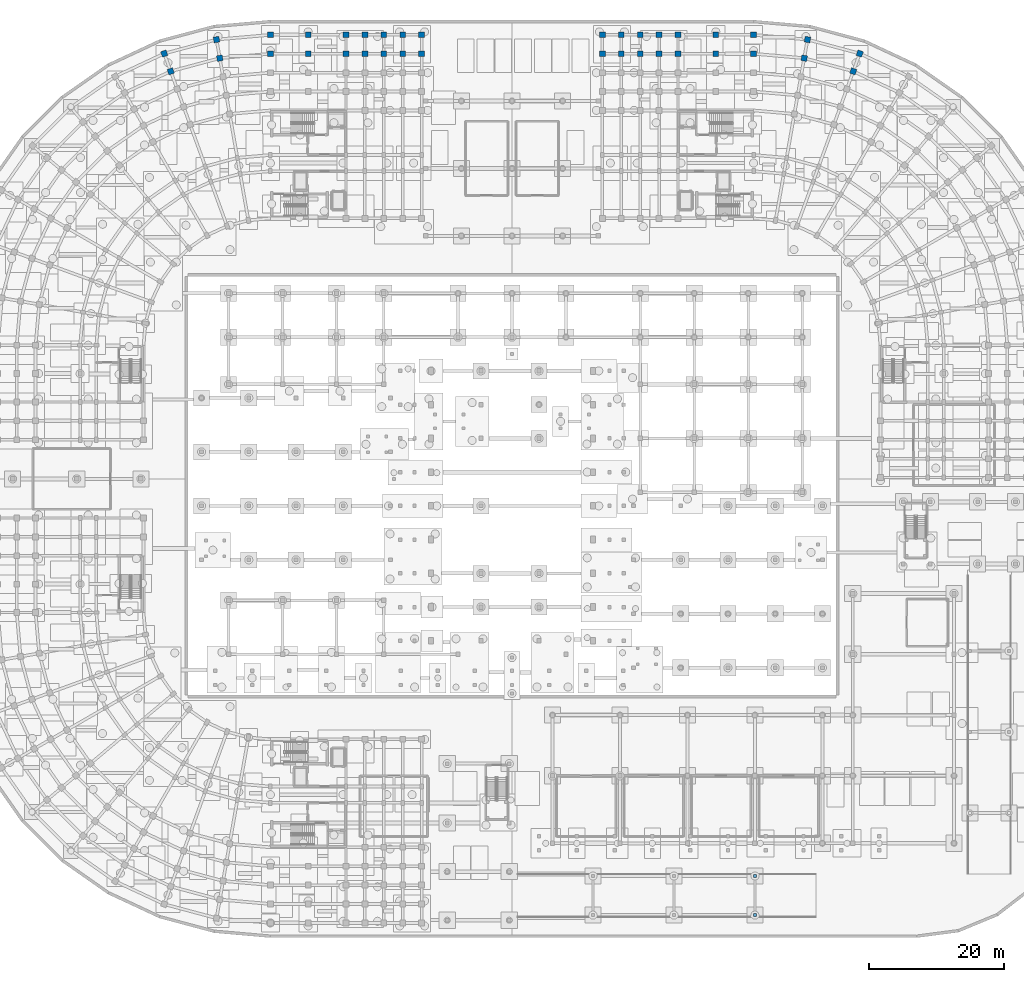
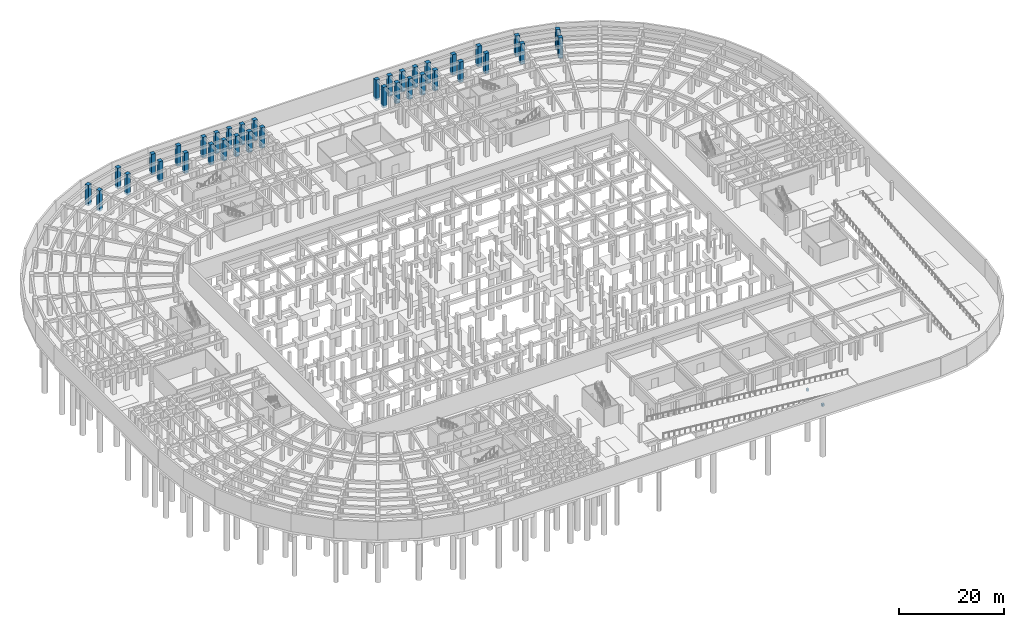
# One storey, part 17 of 53: 38 columns.
"""IFC4 building model written with IfcOpenShell, lengths in metres."""

import ifcopenshell
import ifcopenshell.guid

model = None  # the IFC model being written
_history = None  # IfcOwnerHistory: only IFC2X3 demands one
_inside = {}  # id of a spatial element -> (the spatial element, [elements in it])
_under = {}  # id of a project, library or spatial element -> (it, [spatial elements below it])
_declared = {}  # id of a project -> (the project, [libraries it declares])
_typed = {}  # id of a type object -> (the type object, [elements of that type])
_made_of = {}  # id of a material, layer set ... -> (it, [elements and type objects made of it])


def new_model(schema):
    """Start an empty IFC model of exactly this schema.

    Asked for "IFC4X3", IfcOpenShell would pick the latest addendum, in which some entities
    have other attributes; the version numbers below select the first issue.
    IFC2X3 requires an IfcOwnerHistory on every rooted entity: one is made here for all.
    """
    global model, _history
    if schema == "IFC4X3":
        model = ifcopenshell.file(schema_version=(4, 3, 0, 0))
    else:
        model = ifcopenshell.file(schema=schema)
    _inside.clear()
    _under.clear()
    _declared.clear()
    _typed.clear()
    _made_of.clear()
    _history = None
    if model.schema == "IFC2X3":
        org = make("IfcOrganization", Name="unknown")
        user = make(
            "IfcPersonAndOrganization",
            ThePerson=make("IfcPerson", FamilyName="unknown"),
            TheOrganization=org,
        )
        app = make(
            "IfcApplication",
            ApplicationDeveloper=org,
            Version="unknown",
            ApplicationFullName="unknown",
            ApplicationIdentifier="unknown",
        )
        _history = make(
            "IfcOwnerHistory",
            OwningUser=user,
            OwningApplication=app,
            ChangeAction="ADDED",
            CreationDate=0,
        )
    return model


def make(cls, **values):
    """One entity of the class cls with the attributes given. An attribute that is None is left unset."""
    return model.create_entity(
        cls, **{name: value for name, value in values.items() if value is not None}
    )


def rooted(cls, **values):
    """An entity with a GlobalId (a new one), such as an element, a storey or a relation."""
    return make(cls, GlobalId=ifcopenshell.guid.new(), OwnerHistory=_history, **values)


def si_unit(unit_type, name, prefix=None):
    """IfcSIUnit, for example si_unit("LENGTHUNIT", "METRE", prefix="MILLI")."""
    return make("IfcSIUnit", UnitType=unit_type, Prefix=prefix, Name=name)


def assignment(units):
    """IfcUnitAssignment: the units of a project."""
    return None if units is None else make("IfcUnitAssignment", Units=units)


def point(xyz):
    """IfcCartesianPoint."""
    return None if xyz is None else make("IfcCartesianPoint", Coordinates=xyz)


def direction(xyz):
    """IfcDirection."""
    return None if xyz is None else make("IfcDirection", DirectionRatios=xyz)


def frame(location, z_axis=None, x_axis=None):
    """IfcAxis2Placement3D, a coordinate frame: its origin and axes. An axis left out is left unset."""
    return make(
        "IfcAxis2Placement3D",
        Location=point(location),
        Axis=direction(z_axis),
        RefDirection=direction(x_axis),
    )


def frame_2d(location, x_axis=None):
    """IfcAxis2Placement2D, a coordinate frame in the plane: its origin and x axis."""
    return make(
        "IfcAxis2Placement2D", Location=point(location), RefDirection=direction(x_axis)
    )


def origin():
    """The frame at (0, 0, 0) with its axes left unset."""
    return frame((0.0, 0.0, 0.0))


def origin_2d():
    """The frame at (0, 0) in the plane with its x axis left unset."""
    return frame_2d((0.0, 0.0))


def place(relative_to, where):
    """IfcLocalPlacement: puts the frame where relative to a parent placement (None: the world)."""
    return make(
        "IfcLocalPlacement", PlacementRelTo=relative_to, RelativePlacement=where
    )


def context(
    kind, dimensions, precision=None, world=None, true_north=None, identifier=None
):
    """IfcGeometricRepresentationContext, for example the 3D "Model" context."""
    return make(
        "IfcGeometricRepresentationContext",
        ContextIdentifier=identifier,
        ContextType=kind,
        CoordinateSpaceDimension=dimensions,
        Precision=precision,
        WorldCoordinateSystem=world,
        TrueNorth=true_north,
    )


def subcontext(parent, identifier, kind, view, scale=None):
    """IfcGeometricRepresentationSubContext, for example "Body" below "Model"."""
    return make(
        "IfcGeometricRepresentationSubContext",
        ContextIdentifier=identifier,
        ContextType=kind,
        ParentContext=parent,
        TargetScale=scale,
        TargetView=view,
    )


def project(units=None, contexts=None):
    """IfcProject with its units and contexts."""
    return rooted(
        "IfcProject",
        Name="project",
        RepresentationContexts=contexts,
        UnitsInContext=assignment(units),
    )


def spatial(cls, under=None, at=None, **own):
    """A site, building, storey or space (cls), placed at a placement, below another one or the project."""
    s = rooted(cls, ObjectPlacement=at, **own)
    if under is not None:
        _under.setdefault(under.id(), (under, []))[1].append(s)
    return s


def profile(cls, at=None, kind="AREA", **sizes):
    """A parametric profile (cls). Its sizes go by their IFC names, for example OverallWidth=200.0."""
    return make(cls, ProfileType=kind, Position=at, **sizes)


def rectangle(**sizes):
    """IfcRectangleProfileDef."""
    return profile("IfcRectangleProfileDef", **sizes)


def extrude(swept, where, along, depth):
    """IfcExtrudedAreaSolid: the profile swept, set in the frame where, extruded along a direction by depth."""
    return make(
        "IfcExtrudedAreaSolid",
        SweptArea=swept,
        Position=where,
        ExtrudedDirection=direction(along),
        Depth=depth,
    )


def shape(context_of_items, identifier, shape_type, items):
    """IfcShapeRepresentation: the items that make up one representation, for example the "Body"."""
    return make(
        "IfcShapeRepresentation",
        ContextOfItems=context_of_items,
        RepresentationIdentifier=identifier,
        RepresentationType=shape_type,
        Items=items,
    )


def material(Name=None, Category=None):
    """IfcMaterial."""
    return make("IfcMaterial", Name=Name, Category=Category)


def material_profile(
    of_material, cross_section, Name=None, Category=None, Priority=None
):
    """IfcMaterialProfile: a cross section and its material."""
    return make(
        "IfcMaterialProfile",
        Name=Name,
        Material=of_material,
        Profile=cross_section,
        Priority=Priority,
        Category=Category,
    )


def profile_set(profiles, Name=None, composite=None):
    """IfcMaterialProfileSet."""
    return make(
        "IfcMaterialProfileSet",
        Name=Name,
        MaterialProfiles=profiles,
        CompositeProfile=composite,
    )


def made_of(thing, what):
    """Note that an element or type object is made of a material, layer set ...; save() writes the relation."""
    if what is not None:
        _made_of.setdefault(what.id(), (what, []))[1].append(thing)
    return thing


def type_object(cls, material=None, **own):
    """A type object (cls), such as IfcWallType, which elements share."""
    return made_of(rooted(cls, **own), material)


def element(
    cls,
    number,
    at=None,
    inside=None,
    cuts=None,
    type_object=None,
    material=None,
    context=None,
    identifier="Body",
    shape_type=None,
    held_by="IfcProductDefinitionShape",
    body=None,
    shapes=None,
    **own,
):
    """One element of the class cls, such as IfcWall. Its Tag is "e" and its number.

    at: its placement. inside: the storey or other place that contains it. cuts: it is an
    opening in that element (IfcRelVoidsElement). A single representation is given by context,
    identifier, shape_type and body (its items); several are given by shapes. held_by: the class
    of the entity that holds the representations. save() writes the other relations.
    """
    e = rooted(cls, Tag="e%d" % number, ObjectPlacement=at, **own)
    if body is not None:
        shapes = [shape(context, identifier, shape_type, body)]
    if shapes is not None:
        e.Representation = make(held_by, Representations=shapes)
    if inside is not None:
        _inside.setdefault(inside.id(), (inside, []))[1].append(e)
    if cuts is not None:
        rooted(
            "IfcRelVoidsElement", RelatingBuildingElement=cuts, RelatedOpeningElement=e
        )
    if type_object is not None:
        _typed.setdefault(type_object.id(), (type_object, []))[1].append(e)
    return made_of(e, material)


def aggregate(whole, parts):
    """IfcRelAggregates: a whole, such as a stair, and the parts it consists of."""
    return rooted("IfcRelAggregates", RelatingObject=whole, RelatedObjects=parts)


def save(model, path):
    """Write the relations noted so far, then the file.

    IfcRelAggregates (storeys below a building ...), IfcRelContainedInSpatialStructure (elements
    in a storey), IfcRelDefinesByType, IfcRelAssociatesMaterial and IfcRelDeclares: one each for
    every whole, place, type object, material and project.
    """
    for whole, parts in _under.values():
        aggregate(whole, parts)
    for where, things in _inside.values():
        rooted(
            "IfcRelContainedInSpatialStructure",
            RelatedElements=things,
            RelatingStructure=where,
        )
    for kind, things in _typed.values():
        rooted("IfcRelDefinesByType", RelatedObjects=things, RelatingType=kind)
    for what, things in _made_of.values():
        rooted("IfcRelAssociatesMaterial", RelatedObjects=things, RelatingMaterial=what)
    for by, libraries in _declared.values():
        rooted("IfcRelDeclares", RelatingContext=by, RelatedDefinitions=libraries)
    model.write(path)


model = new_model("IFC4")

# Units and contexts
model_context = context("Model", 3, precision=1e-05, world=origin(), true_north=direction((0.0, 1.0)))
body_context = subcontext(model_context, "Body", "Model", "MODEL_VIEW")
ifc_project = project(units=[si_unit("LENGTHUNIT", "METRE"), si_unit("AREAUNIT", "SQUARE_METRE"), si_unit("VOLUMEUNIT", "CUBIC_METRE"), si_unit("PLANEANGLEUNIT", "RADIAN"), si_unit("MASSUNIT", "GRAM", prefix="KILO")], contexts=[model_context])

# Site, building, storey
site_placement = place(None, origin())
site = spatial("IfcSite", under=ifc_project, at=site_placement, CompositionType="ELEMENT")
building_placement = place(site_placement, origin())
building = spatial("IfcBuilding", under=site, at=building_placement, Name="Kiranvali Square Residences", CompositionType="ELEMENT")
storey_placement = place(building_placement, frame((0.0, 0.0, -4.5)))
storey = spatial("IfcBuildingStorey", under=building, at=storey_placement, Name="B1", CompositionType="ELEMENT", Elevation=-4.5)

# Columns
ifc_material_1 = material(Name="Concrete M40 (40 MPa)", Category="concrete")
ifc_material_profile_1 = material_profile(ifc_material_1, rectangle(XDim=0.449951171875, YDim=0.449951171875, at=origin_2d()), Name="RC 450x450")
ifc_profile_set_1 = profile_set([ifc_material_profile_1], Name="Concrete M40 (40 MPa)")
column_type_1 = type_object("IfcColumnType", Name="COL-M40-450", PredefinedType="COLUMN", material=ifc_profile_set_1)
for number, where, z_axis, x_axis, name in (
    (1, (120.0, 3.35009765625, -0.5), (0.0, 0.0, 1.0), (1.0, 0.0, 0.0), "Vehicular ramp VR-1 support column 3S"),
    (2, (120.0, 9.14990234375, -0.5), (0.0, 0.0, 1.0), (1.0, 0.0, 0.0), "Vehicular ramp VR-1 support column 3N"),
):
    element("IfcColumn", number, at=place(storey_placement, frame(where, z_axis=z_axis, x_axis=x_axis)), inside=storey, type_object=column_type_1, Name=name, PredefinedType="COLUMN", context=body_context, shape_type="SweptSolid", body=[
        extrude(rectangle(XDim=0.449951171875, YDim=0.449951171875, at=origin_2d()), origin(), (0.0, 0.0, 1.0), 0.570068359375),
    ])
ifc_material_2 = material(Name="Concrete M50 (50 MPa)", Category="concrete")
ifc_material_profile_2 = material_profile(ifc_material_2, rectangle(XDim=0.85009765625, YDim=0.85009765625, at=origin_2d()), Name="RC 850x850")
ifc_profile_set_2 = profile_set([ifc_material_profile_2], Name="Concrete M50 (50 MPa)")
column_type_2 = type_object("IfcColumnType", Name="COL-M50-850", PredefinedType="COLUMN", material=ifc_profile_set_2)
for number, where, z_axis, x_axis, name in (
    (3, (48.199951171875, 131.0, -0.5), (0.0, 0.0, 1.0), (1.0, 0.0, 0.0), "Block A B1 radial column A00-R6"),
    (4, (48.199951171875, 133.800048828125, -0.5), (0.0, 0.0, 1.0), (1.0, 0.0, 0.0), "Block A B1 radial column A00-R7"),
    (5, (40.698486328125, 130.34375, -0.5), (0.0, 0.0, 1.0), (0.984807753012, 0.173648177667, 0.0), "Block A B1 radial column A01-R6"),
    (6, (40.212158203125, 133.10107421875, -0.5), (0.0, 0.0, 1.0), (0.984807753012, 0.173648177667, 0.0), "Block A B1 radial column A01-R7"),
    (7, (33.4248046875, 128.394775390625, -0.5), (0.0, 0.0, 1.0), (0.939692620786, 0.342020143326, 0.0), "Block A B1 radial column A02-R6"),
    (8, (32.467041015625, 131.02587890625, -0.5), (0.0, 0.0, 1.0), (0.939692620786, 0.342020143326, 0.0), "Block A B1 radial column A02-R7"),
    (9, (53.800048828125, 131.0, -0.5), (0.0, 0.0, 1.0), (1.0, 0.0, 0.0), "Block A B1 core-front column U0-R6"),
    (10, (53.800048828125, 133.800048828125, -0.5), (0.0, 0.0, 1.0), (1.0, 0.0, 0.0), "Block A B1 core-front column U0-R7"),
    (11, (59.39990234375, 131.0, -0.5), (0.0, 0.0, 1.0), (1.0, 0.0, 0.0), "Block A B1 Arm 1 column U1-R6"),
    (12, (59.39990234375, 133.800048828125, -0.5), (0.0, 0.0, 1.0), (1.0, 0.0, 0.0), "Block A B1 Arm 1 column U1-R7"),
    (13, (62.199951171875, 131.0, -0.5), (0.0, 0.0, 1.0), (1.0, 0.0, 0.0), "Block A B1 Arm 1 column U2-R6"),
    (14, (62.199951171875, 133.800048828125, -0.5), (0.0, 0.0, 1.0), (1.0, 0.0, 0.0), "Block A B1 Arm 1 column U2-R7"),
    (15, (65.0, 131.0, -0.5), (0.0, 0.0, 1.0), (1.0, 0.0, 0.0), "Block A B1 Arm 1 column U3-R6"),
    (16, (65.0, 133.800048828125, -0.5), (0.0, 0.0, 1.0), (1.0, 0.0, 0.0), "Block A B1 Arm 1 column U3-R7"),
    (17, (67.800048828125, 131.0, -0.5), (0.0, 0.0, 1.0), (1.0, 0.0, 0.0), "Block A B1 Arm 1 column U4-R6"),
    (18, (67.800048828125, 133.800048828125, -0.5), (0.0, 0.0, 1.0), (1.0, 0.0, 0.0), "Block A B1 Arm 1 column U4-R7"),
    (19, (70.60009765625, 131.0, -0.5), (0.0, 0.0, 1.0), (1.0, 0.0, 0.0), "Block A B1 Arm 1 column U5-R6"),
    (20, (70.60009765625, 133.800048828125, -0.5), (0.0, 0.0, 1.0), (1.0, 0.0, 0.0), "Block A B1 Arm 1 column U5-R7"),
    (21, (119.800048828125, 131.0, -0.5), (0.0, 0.0, 1.0), (1.0, 0.0, 0.0), "Block B B1 radial column A00-R6"),
    (22, (119.800048828125, 133.800048828125, -0.5), (0.0, 0.0, 1.0), (1.0, 0.0, 0.0), "Block B B1 radial column A00-R7"),
    (23, (127.301513671875, 130.34375, -0.5), (0.0, 0.0, 1.0), (-0.984807753012, 0.173648177667, 0.0), "Block B B1 radial column A01-R6"),
    (24, (127.787841796875, 133.10107421875, -0.5), (0.0, 0.0, 1.0), (-0.984807753012, 0.173648177667, 0.0), "Block B B1 radial column A01-R7"),
    (25, (134.5751953125, 128.394775390625, -0.5), (0.0, 0.0, 1.0), (-0.939692620786, 0.342020143326, 0.0), "Block B B1 radial column A02-R6"),
    (26, (135.532958984375, 131.02587890625, -0.5), (0.0, 0.0, 1.0), (-0.939692620786, 0.342020143326, 0.0), "Block B B1 radial column A02-R7"),
    (27, (114.199951171875, 131.0, -0.5), (0.0, 0.0, 1.0), (1.0, 0.0, 0.0), "Block B B1 core-front column U0-R6"),
    (28, (114.199951171875, 133.800048828125, -0.5), (0.0, 0.0, 1.0), (1.0, 0.0, 0.0), "Block B B1 core-front column U0-R7"),
    (29, (108.60009765625, 131.0, -0.5), (0.0, 0.0, 1.0), (1.0, 0.0, 0.0), "Block B B1 Arm 1 column U1-R6"),
    (30, (108.60009765625, 133.800048828125, -0.5), (0.0, 0.0, 1.0), (1.0, 0.0, 0.0), "Block B B1 Arm 1 column U1-R7"),
    (31, (105.800048828125, 131.0, -0.5), (0.0, 0.0, 1.0), (1.0, 0.0, 0.0), "Block B B1 Arm 1 column U2-R6"),
    (32, (105.800048828125, 133.800048828125, -0.5), (0.0, 0.0, 1.0), (1.0, 0.0, 0.0), "Block B B1 Arm 1 column U2-R7"),
    (33, (103.0, 131.0, -0.5), (0.0, 0.0, 1.0), (1.0, 0.0, 0.0), "Block B B1 Arm 1 column U3-R6"),
    (34, (103.0, 133.800048828125, -0.5), (0.0, 0.0, 1.0), (1.0, 0.0, 0.0), "Block B B1 Arm 1 column U3-R7"),
    (35, (100.199951171875, 131.0, -0.5), (0.0, 0.0, 1.0), (1.0, 0.0, 0.0), "Block B B1 Arm 1 column U4-R6"),
    (36, (100.199951171875, 133.800048828125, -0.5), (0.0, 0.0, 1.0), (1.0, 0.0, 0.0), "Block B B1 Arm 1 column U4-R7"),
    (37, (97.39990234375, 131.0, -0.5), (0.0, 0.0, 1.0), (1.0, 0.0, 0.0), "Block B B1 Arm 1 column U5-R6"),
    (38, (97.39990234375, 133.800048828125, -0.5), (0.0, 0.0, 1.0), (1.0, 0.0, 0.0), "Block B B1 Arm 1 column U5-R7"),
):
    element("IfcColumn", number, at=place(storey_placement, frame(where, z_axis=z_axis, x_axis=x_axis)), inside=storey, type_object=column_type_2, Name=name, PredefinedType="COLUMN", context=body_context, shape_type="SweptSolid", body=[
        extrude(rectangle(XDim=0.85009765625, YDim=0.85009765625, at=origin_2d()), origin(), (0.0, 0.0, 1.0), 4.780029296875),
    ])

save(model, "model.ifc")
